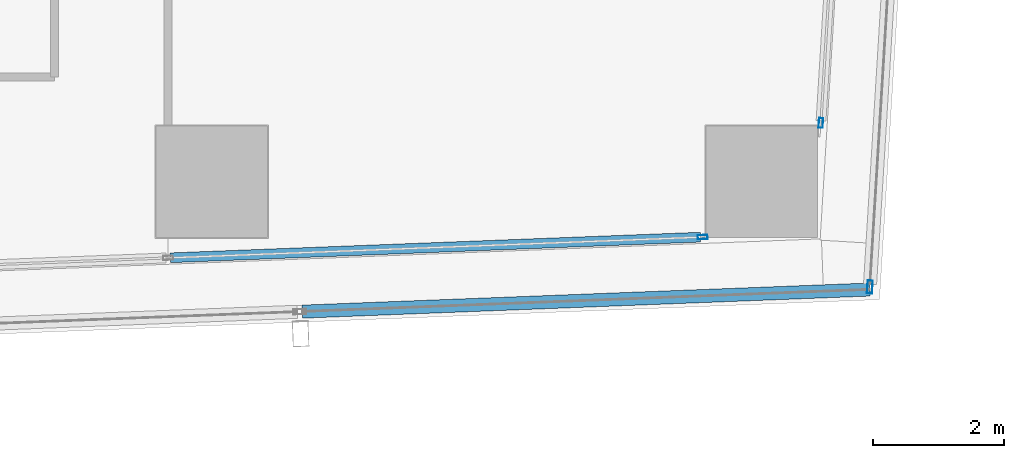
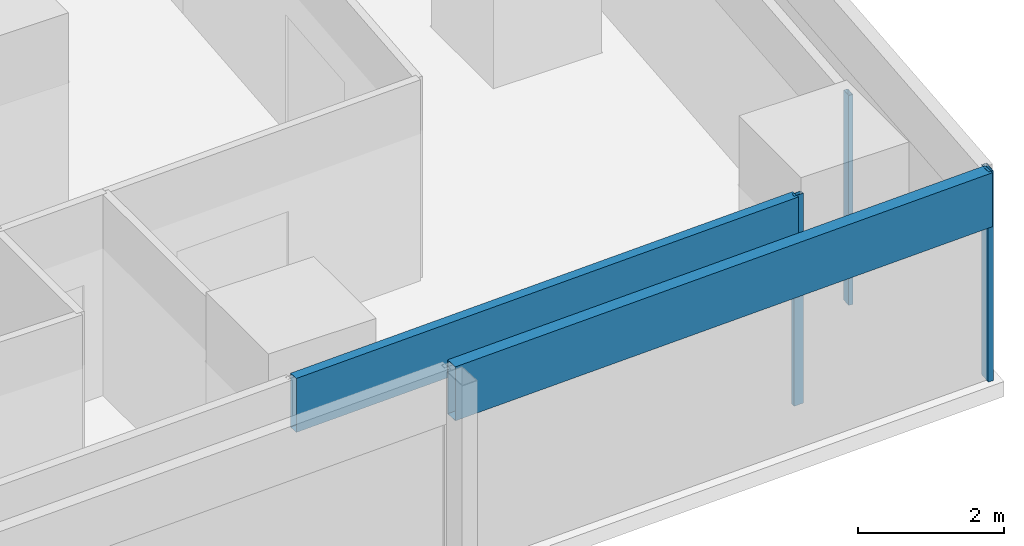
# One storey, part 12 of 40: 5 members, 4 elements without a shape of their own.
"""IFC4 building model written with IfcOpenShell, lengths in metres."""

from ifc_helpers import new_model, si_unit, direction, frame, origin, origin_2d, place, context, subcontext, project, spatial, hollow_rectangle, extrude, material, material_profile, profile_set, type_object, element, aggregate, save


model = new_model("IFC4")

# Units and contexts
model_context = context("Model", 3, precision=1e-05, world=origin(), true_north=direction((0.0, 1.0)))
body_context = subcontext(model_context, "Body", "Model", "MODEL_VIEW")
ifc_project = project(units=[si_unit("LENGTHUNIT", "METRE"), si_unit("AREAUNIT", "SQUARE_METRE"), si_unit("VOLUMEUNIT", "CUBIC_METRE"), si_unit("PLANEANGLEUNIT", "RADIAN"), si_unit("MASSUNIT", "GRAM", prefix="KILO")], contexts=[model_context])

# Site, building, storey
site_placement = place(None, origin())
site = spatial("IfcSite", under=ifc_project, at=site_placement, CompositionType="ELEMENT")
building_placement = place(site_placement, origin())
building = spatial("IfcBuilding", under=site, at=building_placement, Name="Rekha Terrace Tower", CompositionType="ELEMENT")
storey_placement = place(building_placement, frame((0.0, 0.0, 136.550048828125)))
storey = spatial("IfcBuildingStorey", under=building, at=storey_placement, Name="L34", CompositionType="ELEMENT", Elevation=136.550048828125)

# Curtain wall, member
ifc_material_1 = material(Name="Aluminium framing", Category="aluminium")
curtain_wall_type_1 = type_object("IfcCurtainWallType", Name="CW1 double skin inner glazing", PredefinedType="USERDEFINED", material=ifc_material_1)
curtain_wall_1_placement = place(storey_placement, origin())
curtain_wall_1 = element("IfcCurtainWall", 1, at=curtain_wall_1_placement, inside=storey, type_object=curtain_wall_type_1, Name="CW1 double skin inner glazing", ObjectType="DOUBLE SKIN INNER GLAZING", PredefinedType="USERDEFINED")
ifc_material_2 = material(Name="Aluminium mullion section", Category="aluminium")
ifc_material_profile_1 = material_profile(ifc_material_2, hollow_rectangle(XDim=0.06494140625, YDim=0.14990234375, WallThickness=0.00390625, at=origin_2d()), Name="AL RHS 65x150")
ifc_profile_set_1 = profile_set([ifc_material_profile_1], Name="Aluminium mullion section")
member_type_1 = type_object("IfcMemberType", Name="CW1 mullion RHS 65 x 150", PredefinedType="MULLION", material=ifc_profile_set_1)
member_1_placement = place(storey_placement, frame((66.29736328125, 15.95556640625, 0.0), z_axis=(0.0, 0.0, 1.0), x_axis=(-0.038889971345, 0.999243498917, 0.0)))
member_1 = element("IfcMember", 2, at=member_1_placement, type_object=member_type_1, Name="CW1 mullion 6", PredefinedType="MULLION", context=body_context, shape_type="SweptSolid", body=[
    extrude(hollow_rectangle(XDim=0.06494140625, YDim=0.14990234375, WallThickness=0.00390625, at=origin_2d()), origin(), (0.0, 0.0, 1.0), 3.5),
])

curtain_wall_2_placement = place(storey_placement, origin())
curtain_wall_2 = element("IfcCurtainWall", 3, at=curtain_wall_2_placement, inside=storey, type_object=curtain_wall_type_1, Name="CW1 double skin inner glazing", ObjectType="DOUBLE SKIN INNER GLAZING", PredefinedType="USERDEFINED")
member_2_placement = place(storey_placement, frame((68.103515625, 17.69921875, 0.0), z_axis=(0.0, 0.0, 1.0), x_axis=(-0.998127987024, 0.061159803131, 0.0)))
member_2 = element("IfcMember", 4, at=member_2_placement, type_object=member_type_1, Name="CW1 mullion 1", PredefinedType="MULLION", context=body_context, shape_type="SweptSolid", body=[
    extrude(hollow_rectangle(XDim=0.06494140625, YDim=0.14990234375, WallThickness=0.00390625, at=origin_2d()), origin(), (0.0, 0.0, 1.0), 3.5),
])
aggregate(curtain_wall_2, [member_2])

# Member
ifc_material_3 = material(Name="Insulated aluminium spandrel box", Category="aluminium")
ifc_material_profile_2 = material_profile(ifc_material_3, hollow_rectangle(XDim=0.14990234375, YDim=0.89990234375, WallThickness=0.0029296875, at=origin_2d()), Name="AL SPANDREL BOX 150x900")
ifc_profile_set_2 = profile_set([ifc_material_profile_2], Name="Insulated aluminium spandrel box")
member_type_2 = type_object("IfcMemberType", Name="CW1 spandrel transom 150 x 900", PredefinedType="USERDEFINED", material=ifc_profile_set_2)
member_3_placement = place(storey_placement, frame((58.165771484375, 15.63916015625, 3.050048828125), z_axis=(0.999243585207, 0.038887754153, 0.0), x_axis=(-0.038887754153, 0.999243585207, 0.0)))
member_3 = element("IfcMember", 5, at=member_3_placement, type_object=member_type_2, Name="CW1 spandrel transom 5", ObjectType="TRANSOM", PredefinedType="USERDEFINED", context=body_context, shape_type="SweptSolid", body=[
    extrude(hollow_rectangle(XDim=0.14990234375, YDim=0.89990234375, WallThickness=0.0029296875, at=origin_2d()), origin(), (0.0, 0.0, 1.0), 8.10498046875),
])

aggregate(curtain_wall_1, [member_1, member_3])

# Curtain wall, member
curtain_wall_type_2 = type_object("IfcCurtainWallType", Name="CW2 double skin outer glazing", PredefinedType="USERDEFINED", material=ifc_material_1)
curtain_wall_3_placement = place(storey_placement, origin())
curtain_wall_3 = element("IfcCurtainWall", 6, at=curtain_wall_3_placement, inside=storey, type_object=curtain_wall_type_2, Name="CW2 double skin outer glazing", ObjectType="DOUBLE SKIN OUTER GLAZING", PredefinedType="USERDEFINED")
ifc_material_profile_3 = material_profile(ifc_material_2, hollow_rectangle(XDim=0.080078125, YDim=0.199951171875, WallThickness=0.00390625, at=origin_2d()), Name="AL RHS 80x200")
ifc_profile_set_3 = profile_set([ifc_material_profile_3], Name="Aluminium mullion section")
member_type_3 = type_object("IfcMemberType", Name="CW2 mullion RHS 80 x 200", PredefinedType="MULLION", material=ifc_profile_set_3)
member_4_placement = place(storey_placement, frame((68.8515625, 15.194091796875, 0.0), z_axis=(0.0, 0.0, 1.0), x_axis=(-0.998127987024, 0.061159803131, 0.0)))
member_4 = element("IfcMember", 7, at=member_4_placement, type_object=member_type_3, Name="CW2 mullion 1", PredefinedType="MULLION", context=body_context, shape_type="SweptSolid", body=[
    extrude(hollow_rectangle(XDim=0.080078125, YDim=0.199951171875, WallThickness=0.00390625, at=origin_2d()), origin(), (0.0, 0.0, 1.0), 3.5),
])
aggregate(curtain_wall_3, [member_4])

curtain_wall_4_placement = place(storey_placement, origin())
curtain_wall_4 = element("IfcCurtainWall", 8, at=curtain_wall_4_placement, inside=storey, type_object=curtain_wall_type_2, Name="CW2 double skin outer glazing", ObjectType="DOUBLE SKIN OUTER GLAZING", PredefinedType="USERDEFINED")
ifc_material_profile_4 = material_profile(ifc_material_3, hollow_rectangle(XDim=0.199951171875, YDim=0.89990234375, WallThickness=0.0029296875, at=origin_2d()), Name="AL SPANDREL BOX 200x900")
ifc_profile_set_4 = profile_set([ifc_material_profile_4], Name="Insulated aluminium spandrel box")
member_type_4 = type_object("IfcMemberType", Name="CW2 spandrel transom 200 x 900", PredefinedType="USERDEFINED", material=ifc_profile_set_4)
member_5_placement = place(storey_placement, frame((60.18408203125, 14.81689453125, 3.050048828125), z_axis=(0.99924276334, 0.038908866757, 0.0), x_axis=(-0.038908866757, 0.99924276334, 0.0)))
member_5 = element("IfcMember", 9, at=member_5_placement, type_object=member_type_4, Name="CW2 spandrel transom 5", ObjectType="TRANSOM", PredefinedType="USERDEFINED", context=body_context, shape_type="SweptSolid", body=[
    extrude(hollow_rectangle(XDim=0.199951171875, YDim=0.89990234375, WallThickness=0.0029296875, at=origin_2d()), origin(), (0.0, 0.0, 1.0), 8.671630859375),
])
aggregate(curtain_wall_4, [member_5])

save(model, "model.ifc")
